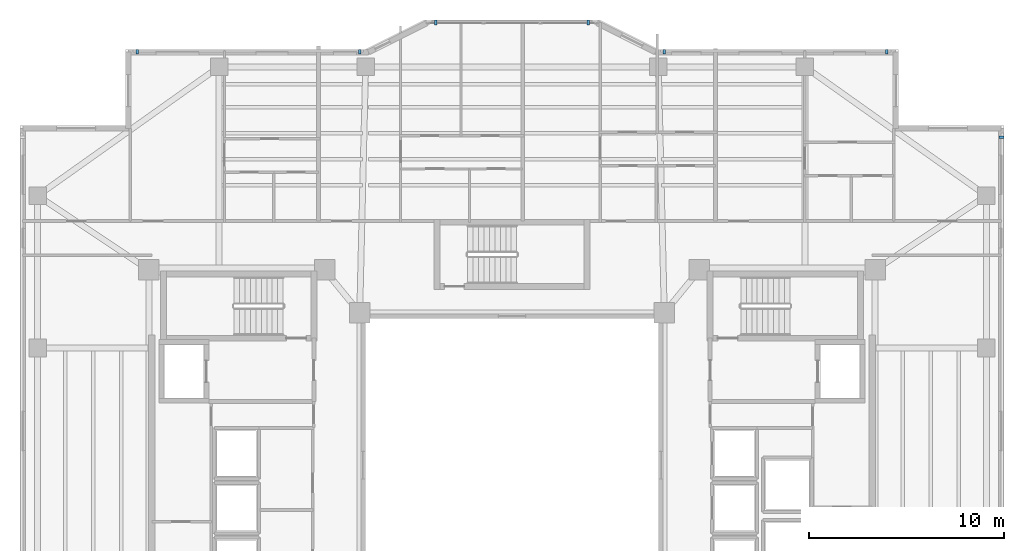
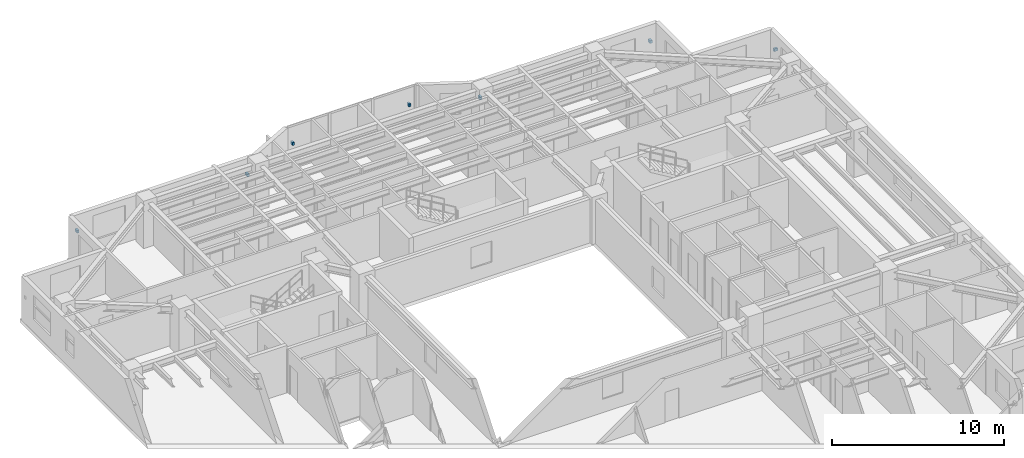
# One storey, part 13 of 16: 7 discrete accessories.
"""IFC4 building model written with IfcOpenShell, lengths in metres."""

from ifc_helpers import new_model, si_unit, direction, frame, origin, origin_2d, place, context, subcontext, project, spatial, rectangle, extrude, material, type_object, element, save


model = new_model("IFC4")

# Units and contexts
model_context = context("Model", 3, precision=1e-05, world=origin(), true_north=direction((0.0, 1.0)))
body_context = subcontext(model_context, "Body", "Model", "MODEL_VIEW")
ifc_project = project(units=[si_unit("LENGTHUNIT", "METRE"), si_unit("AREAUNIT", "SQUARE_METRE"), si_unit("VOLUMEUNIT", "CUBIC_METRE"), si_unit("PLANEANGLEUNIT", "RADIAN"), si_unit("MASSUNIT", "GRAM", prefix="KILO")], contexts=[model_context])

# Site, building, storey
site_placement = place(None, origin())
site = spatial("IfcSite", under=ifc_project, at=site_placement, CompositionType="ELEMENT")
building_placement = place(site_placement, origin())
building = spatial("IfcBuilding", under=site, at=building_placement, Name="Tarnavaz Court Tower", CompositionType="ELEMENT")
storey_placement = place(building_placement, frame((0.0, 0.0, 152.699951171875)))
storey = spatial("IfcBuildingStorey", under=building, at=storey_placement, Name="L41", CompositionType="ELEMENT", Elevation=152.699951171875)

# Discrete accessories
ifc_material = material(Name="Anodised Aluminium 6063-T6", Category="aluminium")
discrete_accessory_type = type_object("IfcDiscreteAccessoryType", Name="DA-BRKT-ALU", PredefinedType="BRACKET", material=ifc_material)
for number, where, z_axis, x_axis, name in (
    (1, (-19.199951171875, 21.169921875, 1.75), (0.0, 0.0, 1.0), (1.0, 0.0, 0.0), "L41 Baguette Outrigger Bracket FBG05-1"),
    (2, (-7.800048828125, 21.169921875, 1.75), (0.0, 0.0, 1.0), (1.0, 0.0, 0.0), "L41 Baguette Outrigger Bracket FBG05-2"),
    (3, (-3.89990234375, 22.669921875, 1.7001953125), (0.0, 0.0, 1.0), (1.0, 0.0, 0.0), "L41 Baguette Outrigger Bracket PBG7-1"),
    (4, (3.89990234375, 22.669921875, 1.7001953125), (0.0, 0.0, 1.0), (1.0, 0.0, 0.0), "L41 Baguette Outrigger Bracket PBG7-2"),
    (5, (7.800048828125, 21.169921875, 1.75), (0.0, 0.0, 1.0), (1.0, 0.0, 0.0), "L41 Baguette Outrigger Bracket FBG09-1"),
    (6, (19.199951171875, 21.169921875, 1.75), (0.0, 0.0, 1.0), (1.0, 0.0, 0.0), "L41 Baguette Outrigger Bracket FBG09-2"),
    (7, (25.070068359375, 16.800048828125, 1.75), (0.0, 0.0, 1.0), (0.0, -1.0, 0.0), "L41 Baguette Outrigger Bracket FBG12-1"),
):
    element("IfcDiscreteAccessory", number, at=place(storey_placement, frame(where, z_axis=z_axis, x_axis=x_axis)), inside=storey, type_object=discrete_accessory_type, Name=name, PredefinedType="BRACKET", context=body_context, shape_type="SweptSolid", body=[
        extrude(rectangle(XDim=0.139892578125, YDim=0.239990234375, at=origin_2d()), origin(), (0.0, 0.0, 1.0), 0.199951171875),
    ])

save(model, "model.ifc")
